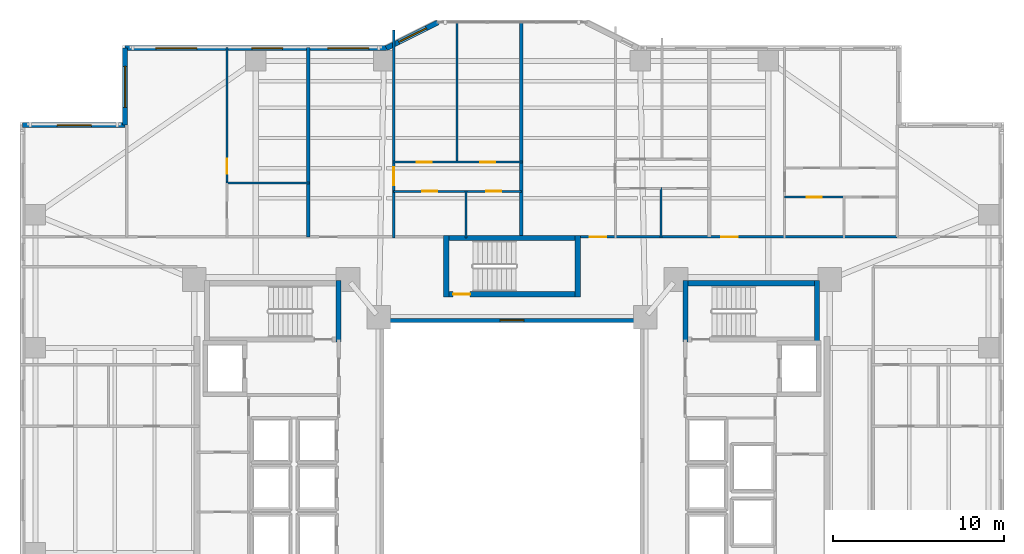
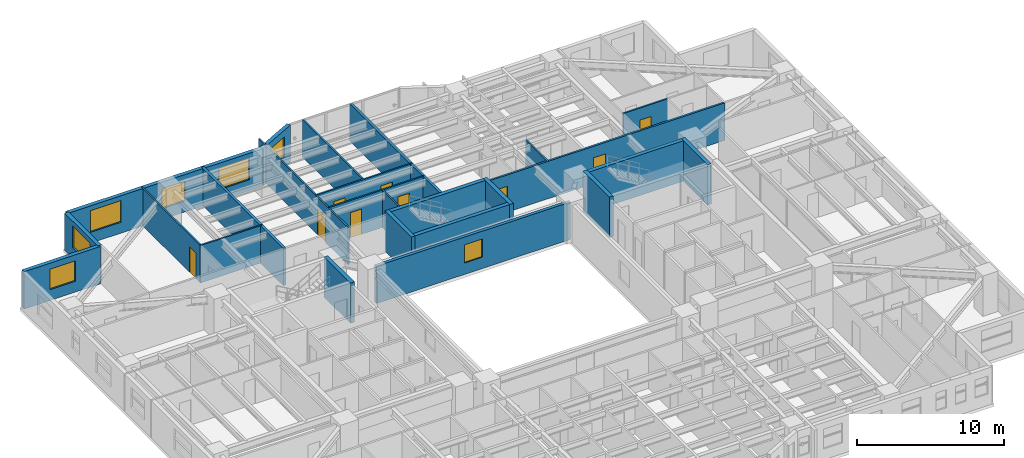
# One storey, part 15 of 22: 26 walls, 10 doors, 7 windows, 17 openings.
"""IFC4 building model written with IfcOpenShell, lengths in metres."""

from ifc_helpers import new_model, si_unit, direction, frame, frame_2d, origin, place, context, subcontext, project, spatial, rectangle, extrude, material, layer, layer_set, type_object, element, fill, save


model = new_model("IFC4")

# Units and contexts
model_context = context("Model", 3, precision=1e-05, world=origin(), true_north=direction((0.0, 1.0)))
body_context = subcontext(model_context, "Body", "Model", "MODEL_VIEW")
ifc_project = project(units=[si_unit("LENGTHUNIT", "METRE"), si_unit("AREAUNIT", "SQUARE_METRE"), si_unit("VOLUMEUNIT", "CUBIC_METRE"), si_unit("PLANEANGLEUNIT", "RADIAN"), si_unit("MASSUNIT", "GRAM", prefix="KILO")], contexts=[model_context])

# Site, building, storey
site_placement = place(None, origin())
site = spatial("IfcSite", under=ifc_project, at=site_placement, CompositionType="ELEMENT")
building_placement = place(site_placement, origin())
building = spatial("IfcBuilding", under=site, at=building_placement, Name="Tarnavaz Court Tower", CompositionType="ELEMENT")
storey_placement = place(building_placement, frame((0.0, 0.0, 27.35009765625)))
storey = spatial("IfcBuildingStorey", under=building, at=storey_placement, Name="L06", CompositionType="ELEMENT", Elevation=27.35009765625)

# Walls
ifc_material_1 = material(Name="Concrete C60/75", Category="concrete")
ifc_layer_1 = layer(ifc_material_1, 0.300048828125)
ifc_layer_set_1 = layer_set([ifc_layer_1], Name="Concrete C60/75")
wall_type_1 = type_object("IfcWallType", Name="WL-CORE-300-C60", PredefinedType="SHEAR", material=ifc_layer_set_1)
wall_1_placement = place(storey_placement, frame((-10.14990234375, 6.35009765625, 0.0), z_axis=(0.0, 0.0, 1.0), x_axis=(0.0, 1.0, 0.0)))
element("IfcWall", 1, at=wall_1_placement, inside=storey, type_object=wall_type_1, Name="L06 West Stair Core Wall 004", PredefinedType="SHEAR", context=body_context, shape_type="SweptSolid", body=[
    extrude(rectangle(XDim=3.58984375, YDim=0.300048828125, at=frame_2d((1.794921875, 0.0))), origin(), (0.0, 0.0, 1.0), 3.349853515625),
])
wall_2_placement = place(storey_placement, frame((10.0, 9.7900390625, 0.0), z_axis=(0.0, 0.0, 1.0), x_axis=(1.0, 0.0, 0.0)))
element("IfcWall", 2, at=wall_2_placement, inside=storey, type_object=wall_type_1, Name="L06 East Stair Core Wall 005", PredefinedType="SHEAR", context=body_context, shape_type="SweptSolid", body=[
    extrude(rectangle(XDim=8.0, YDim=0.300048828125, at=frame_2d((4.0, 0.0))), origin(), (0.0, 0.0, 1.0), 3.349853515625),
])
for number, where, z_axis, x_axis, name in (
    (3, (10.14990234375, 6.35009765625, 0.0), (0.0, 0.0, 1.0), (0.0, 1.0, 0.0), "L06 East Stair Core Wall 007"),
    (4, (17.85009765625, 6.35009765625, 0.0), (0.0, 0.0, 1.0), (0.0, 1.0, 0.0), "L06 East Stair Core Wall 008"),
):
    element("IfcWall", number, at=place(storey_placement, frame(where, z_axis=z_axis, x_axis=x_axis)), inside=storey, type_object=wall_type_1, Name=name, PredefinedType="SHEAR", context=body_context, shape_type="SweptSolid", body=[
        extrude(rectangle(XDim=3.58984375, YDim=0.300048828125, at=frame_2d((1.794921875, 0.0))), origin(), (0.0, 0.0, 1.0), 3.349853515625),
    ])
wall_3_placement = place(storey_placement, frame((-4.0, 12.43994140625, 0.0), z_axis=(0.0, 0.0, 1.0), x_axis=(1.0, 0.0, 0.0)))
element("IfcWall", 5, at=wall_3_placement, inside=storey, type_object=wall_type_1, Name="L06 North Stair Core Wall 009", PredefinedType="SHEAR", context=body_context, shape_type="SweptSolid", body=[
    extrude(rectangle(XDim=8.0, YDim=0.300048828125, at=frame_2d((4.0, 0.0))), origin(), (0.0, 0.0, 1.0), 3.349853515625),
])

# Wall, opening, door
wall_4_placement = place(storey_placement, frame((-4.0, 9.14990234375, 0.0), z_axis=(0.0, 0.0, 1.0), x_axis=(1.0, 0.0, 0.0)))
wall_4 = element("IfcWall", 6, at=wall_4_placement, inside=storey, type_object=wall_type_1, Name="L06 North Stair Core Wall 010", PredefinedType="SHEAR", context=body_context, shape_type="SweptSolid", body=[
    extrude(rectangle(XDim=8.0, YDim=0.300048828125, at=frame_2d((4.0, 0.0))), origin(), (0.0, 0.0, 1.0), 3.349853515625),
])
opening_1_placement = place(wall_4_placement, frame((0.550048828125, 0.0, 0.0)))
opening_1 = element("IfcOpeningElement", 7, at=opening_1_placement, cuts=wall_4, Name="Opening D01", PredefinedType="OPENING", context=body_context, shape_type="SweptSolid", body=[
    extrude(rectangle(XDim=1.0, YDim=2.14990234375, at=frame_2d((0.5, 1.074951171875))), frame((0.0, 0.159912109375, 0.0), z_axis=(0.0, -1.0, 0.0), x_axis=(1.0, 0.0, 0.0)), (0.0, 0.0, 1.0), 0.320068359375),
])
ifc_material_2 = material(Name="Fire-Rated Hardwood Timber Core", Category="wood")
door_type_1 = type_object("IfcDoorType", Name="DR-FD90-1000", OperationType="NOTDEFINED", PredefinedType="DOOR", material=ifc_material_2)
door_1_placement = place(opening_1_placement, origin())
door_1 = element("IfcDoor", 8, at=door_1_placement, inside=storey, type_object=door_type_1, Name="L06 Stair ST-N1 Exit Door", OperationType="SINGLE_SWING_LEFT", OverallHeight=2.14990234375, OverallWidth=1.0, PredefinedType="DOOR", context=body_context, shape_type="SweptSolid", body=[
    extrude(rectangle(XDim=1.0, YDim=2.14990234375, at=frame_2d((0.5, 1.074951171875))), frame((0.0, 0.02490234375, 0.0), z_axis=(0.0, -1.0, 0.0), x_axis=(1.0, 0.0, 0.0)), (0.0, 0.0, 1.0), 0.050048828125),
])
fill(opening_1, door_1)

# Walls
for number, where, z_axis, x_axis, name in (
    (9, (-3.85009765625, 9.0, 0.0), (0.0, 0.0, 1.0), (0.0, 1.0, 0.0), "L06 North Stair Core Wall 011"),
    (10, (3.85009765625, 9.0, 0.0), (0.0, 0.0, 1.0), (0.0, 1.0, 0.0), "L06 North Stair Core Wall 012"),
):
    element("IfcWall", number, at=place(storey_placement, frame(where, z_axis=z_axis, x_axis=x_axis)), inside=storey, type_object=wall_type_1, Name=name, PredefinedType="SHEAR", context=body_context, shape_type="SweptSolid", body=[
        extrude(rectangle(XDim=3.590087890625, YDim=0.300048828125, at=frame_2d((1.794921875, 0.0))), origin(), (0.0, 0.0, 1.0), 3.349853515625),
    ])

# Wall, opening, window
ifc_material_3 = material(Name="Precast Concrete C40/50", Category="concrete")
ifc_layer_2 = layer(ifc_material_3, 0.300048828125)
ifc_layer_set_2 = layer_set([ifc_layer_2], Name="Precast Concrete C40/50")
wall_type_2 = type_object("IfcWallType", Name="WL-EXT-300", PredefinedType="SOLIDWALL", material=ifc_layer_set_2)
wall_5_placement = place(storey_placement, frame((-28.64990234375, 19.050048828125, 0.0), z_axis=(0.0, 0.0, 1.0), x_axis=(1.0, 0.0, 0.0)))
wall_5 = element("IfcWall", 11, at=wall_5_placement, inside=storey, type_object=wall_type_2, Name="L06 Exterior Terracotta Facade Wall 03", PredefinedType="SOLIDWALL", context=body_context, shape_type="SweptSolid", body=[
    extrude(rectangle(XDim=6.0, YDim=0.300048828125, at=frame_2d((3.0, 0.0))), origin(), (0.0, 0.0, 1.0), 3.099853515625),
])
opening_2_placement = place(wall_5_placement, frame((2.02490234375, 0.0, 0.89990234375)))
opening_2 = element("IfcOpeningElement", 12, at=opening_2_placement, cuts=wall_5, Name="Opening W08", PredefinedType="OPENING", context=body_context, shape_type="SweptSolid", body=[
    extrude(rectangle(XDim=2.0, YDim=1.699951171875, at=frame_2d((1.0, 0.85009765625))), frame((0.0, 0.159912109375, 0.0), z_axis=(0.0, -1.0, 0.0), x_axis=(1.0, 0.0, 0.0)), (0.0, 0.0, 1.0), 0.320068359375),
])
ifc_material_4 = material(Name="Double-Glazed Solar Low-E Glass", Category="glass")
window_type_1 = type_object("IfcWindowType", Name="WN-APT-2000", PartitioningType="DOUBLE_PANEL_VERTICAL", PredefinedType="WINDOW", material=ifc_material_4)
window_1_placement = place(opening_2_placement, origin())
window_1 = element("IfcWindow", 13, at=window_1_placement, inside=storey, type_object=window_type_1, Name="L06 North-West Corner Sunroom Study Window", OverallHeight=1.699951171875, OverallWidth=2.0, PartitioningType="SINGLE_PANEL", PredefinedType="WINDOW", context=body_context, shape_type="SweptSolid", body=[
    extrude(rectangle(XDim=2.0, YDim=1.699951171875, at=frame_2d((1.0, 0.85009765625))), frame((0.0, 0.030029296875, 0.0), z_axis=(0.0, -1.0, 0.0), x_axis=(1.0, 0.0, 0.0)), (0.0, 0.0, 1.0), 0.06005859375),
])
fill(opening_2, window_1)

wall_6_placement = place(storey_placement, frame((-22.64990234375, 19.050048828125, 0.0), z_axis=(0.0, 0.0, 1.0), x_axis=(0.0, 1.0, 0.0)))
wall_6 = element("IfcWall", 14, at=wall_6_placement, inside=storey, type_object=wall_type_2, Name="L06 Exterior Terracotta Facade Wall 04", PredefinedType="SOLIDWALL", context=body_context, shape_type="SweptSolid", body=[
    extrude(rectangle(XDim=4.5, YDim=0.300048828125, at=frame_2d((2.25, 0.0))), origin(), (0.0, 0.0, 1.0), 3.099853515625),
])
opening_3_placement = place(wall_6_placement, frame((1.032470703125, 0.0, 0.89990234375)))
opening_3 = element("IfcOpeningElement", 15, at=opening_3_placement, cuts=wall_6, Name="Opening W06", PredefinedType="OPENING", context=body_context, shape_type="SweptSolid", body=[
    extrude(rectangle(XDim=2.39990234375, YDim=1.800048828125, at=frame_2d((1.199951171875, 0.89990234375))), frame((0.0, 0.159912109375, 0.0), z_axis=(0.0, -1.0, 0.0), x_axis=(1.0, 0.0, 0.0)), (0.0, 0.0, 1.0), 0.320068359375),
])
window_type_2 = type_object("IfcWindowType", Name="WN-APT-2400", PartitioningType="TRIPLE_PANEL_VERTICAL", PredefinedType="WINDOW", material=ifc_material_4)
window_2_placement = place(opening_3_placement, origin())
window_2 = element("IfcWindow", 16, at=window_2_placement, inside=storey, type_object=window_type_2, Name="L06 Flat 01 Studio Living and Sleeping Room Window", OverallHeight=1.800048828125, OverallWidth=2.39990234375, PartitioningType="SINGLE_PANEL", PredefinedType="WINDOW", context=body_context, shape_type="SweptSolid", body=[
    extrude(rectangle(XDim=2.39990234375, YDim=1.800048828125, at=frame_2d((1.199951171875, 0.89990234375))), frame((0.0, 0.030029296875, 0.0), z_axis=(0.0, -1.0, 0.0), x_axis=(1.0, 0.0, 0.0)), (0.0, 0.0, 1.0), 0.06005859375),
])
fill(opening_3, window_2)

# Wall, openings, windows
wall_7_placement = place(storey_placement, frame((-22.64990234375, 23.550048828125, 0.0), z_axis=(0.0, 0.0, 1.0), x_axis=(1.0, 0.0, 0.0)))
wall_7 = element("IfcWall", 17, at=wall_7_placement, inside=storey, type_object=wall_type_2, Name="L06 Exterior Terracotta Facade Wall 05", PredefinedType="SOLIDWALL", context=body_context, shape_type="SweptSolid", body=[
    extrude(rectangle(XDim=15.2998046875, YDim=0.300048828125, at=frame_2d((7.64990234375, 0.0))), origin(), (0.0, 0.0, 1.0), 3.099853515625),
])
opening_4_placement = place(wall_7_placement, frame((1.809814453125, 0.0, 0.89990234375)))
opening_4 = element("IfcOpeningElement", 18, at=opening_4_placement, cuts=wall_7, Name="Opening W06", PredefinedType="OPENING", context=body_context, shape_type="SweptSolid", body=[
    extrude(rectangle(XDim=2.39990234375, YDim=1.800048828125, at=frame_2d((1.199951171875, 0.89990234375))), frame((0.0, 0.159912109375, 0.0), z_axis=(0.0, -1.0, 0.0), x_axis=(1.0, 0.0, 0.0)), (0.0, 0.0, 1.0), 0.320068359375),
])
opening_5_placement = place(wall_7_placement, frame((7.42724609375, 0.0, 0.89990234375)))
opening_5 = element("IfcOpeningElement", 19, at=opening_5_placement, cuts=wall_7, Name="Opening W01", PredefinedType="OPENING", context=body_context, shape_type="SweptSolid", body=[
    extrude(rectangle(XDim=1.800048828125, YDim=1.64990234375, at=frame_2d((0.89990234375, 0.824951171875))), frame((0.0, 0.159912109375, 0.0), z_axis=(0.0, -1.0, 0.0), x_axis=(1.0, 0.0, 0.0)), (0.0, 0.0, 1.0), 0.320068359375),
])
opening_6_placement = place(wall_7_placement, frame((11.86767578125, 0.0, 0.89990234375)))
opening_6 = element("IfcOpeningElement", 20, at=opening_6_placement, cuts=wall_7, Name="Opening W06", PredefinedType="OPENING", context=body_context, shape_type="SweptSolid", body=[
    extrude(rectangle(XDim=2.39990234375, YDim=1.800048828125, at=frame_2d((1.199951171875, 0.89990234375))), frame((0.0, 0.159912109375, 0.0), z_axis=(0.0, -1.0, 0.0), x_axis=(1.0, 0.0, 0.0)), (0.0, 0.0, 1.0), 0.320068359375),
])
window_type_3 = type_object("IfcWindowType", Name="WN-APT-1800", PartitioningType="DOUBLE_PANEL_VERTICAL", PredefinedType="WINDOW", material=ifc_material_4)
window_3_placement = place(opening_5_placement, origin())
window_3 = element("IfcWindow", 21, at=window_3_placement, inside=storey, type_object=window_type_3, Name="L06 Flat 01 Kitchen Window", OverallHeight=1.64990234375, OverallWidth=1.800048828125, PartitioningType="SINGLE_PANEL", PredefinedType="WINDOW", context=body_context, shape_type="SweptSolid", body=[
    extrude(rectangle(XDim=1.800048828125, YDim=1.64990234375, at=frame_2d((0.89990234375, 0.824951171875))), frame((0.0, 0.030029296875, 0.0), z_axis=(0.0, -1.0, 0.0), x_axis=(1.0, 0.0, 0.0)), (0.0, 0.0, 1.0), 0.06005859375),
])
fill(opening_5, window_3)
window_4_placement = place(opening_4_placement, origin())
window_4 = element("IfcWindow", 22, at=window_4_placement, inside=storey, type_object=window_type_2, Name="L06 Flat 01 Studio Living and Sleeping Room Window", OverallHeight=1.800048828125, OverallWidth=2.39990234375, PartitioningType="SINGLE_PANEL", PredefinedType="WINDOW", context=body_context, shape_type="SweptSolid", body=[
    extrude(rectangle(XDim=2.39990234375, YDim=1.800048828125, at=frame_2d((1.199951171875, 0.89990234375))), frame((0.0, 0.030029296875, 0.0), z_axis=(0.0, -1.0, 0.0), x_axis=(1.0, 0.0, 0.0)), (0.0, 0.0, 1.0), 0.06005859375),
])
fill(opening_4, window_4)
window_5_placement = place(opening_6_placement, origin())
window_5 = element("IfcWindow", 23, at=window_5_placement, inside=storey, type_object=window_type_2, Name="L06 Flat 02 Living and Dining Room Window", OverallHeight=1.800048828125, OverallWidth=2.39990234375, PartitioningType="SINGLE_PANEL", PredefinedType="WINDOW", context=body_context, shape_type="SweptSolid", body=[
    extrude(rectangle(XDim=2.39990234375, YDim=1.800048828125, at=frame_2d((1.199951171875, 0.89990234375))), frame((0.0, 0.030029296875, 0.0), z_axis=(0.0, -1.0, 0.0), x_axis=(1.0, 0.0, 0.0)), (0.0, 0.0, 1.0), 0.06005859375),
])
fill(opening_6, window_5)

# Wall, opening, window
wall_8_placement = place(storey_placement, frame((-7.35009765625, 23.550048828125, 0.0), z_axis=(0.0, 0.0, 1.0), x_axis=(0.894427191, 0.4472135955, 0.0)))
wall_8 = element("IfcWall", 24, at=wall_8_placement, inside=storey, type_object=wall_type_2, Name="L06 Exterior Terracotta Facade Wall 06", PredefinedType="SOLIDWALL", context=body_context, shape_type="SweptSolid", body=[
    extrude(rectangle(XDim=3.35400390625, YDim=0.300048828125, at=frame_2d((1.677001953125, 0.0))), origin(), (0.0, 0.0, 1.0), 3.099853515625),
])
opening_7_placement = place(wall_8_placement, frame((0.80712890625, 0.0, 0.89990234375)))
opening_7 = element("IfcOpeningElement", 25, at=opening_7_placement, cuts=wall_8, Name="Opening W01", PredefinedType="OPENING", context=body_context, shape_type="SweptSolid", body=[
    extrude(rectangle(XDim=1.800048828125, YDim=1.64990234375, at=frame_2d((0.89990234375, 0.824951171875))), frame((0.0, 0.159912109375, 0.0), z_axis=(0.0, -1.0, 0.0), x_axis=(1.0, 0.0, 0.0)), (0.0, 0.0, 1.0), 0.320068359375),
])
window_6_placement = place(opening_7_placement, origin())
window_6 = element("IfcWindow", 26, at=window_6_placement, inside=storey, type_object=window_type_3, Name="L06 Flat 02 Principal Bedroom Window", OverallHeight=1.64990234375, OverallWidth=1.800048828125, PartitioningType="SINGLE_PANEL", PredefinedType="WINDOW", context=body_context, shape_type="SweptSolid", body=[
    extrude(rectangle(XDim=1.800048828125, YDim=1.64990234375, at=frame_2d((0.89990234375, 0.824951171875))), frame((0.0, 0.030029296875, 0.0), z_axis=(0.0, -1.0, 0.0), x_axis=(1.0, 0.0, 0.0)), (0.0, 0.0, 1.0), 0.06005859375),
])
fill(opening_7, window_6)

# Wall, openings, doors
ifc_material_5 = material(Name="Gypsum Fire-Board on Acoustic Metal Stud", Category="masonry")
ifc_layer_3 = layer(ifc_material_5, 0.14990234375)
ifc_layer_set_3 = layer_set([ifc_layer_3], Name="Gypsum Fire-Board on Acoustic Metal Stud")
wall_type_3 = type_object("IfcWallType", Name="WL-FIRE-150", PredefinedType="PARTITIONING", material=ifc_layer_set_3)
wall_9_placement = place(storey_placement, frame((3.85009765625, 12.5, 0.0), z_axis=(0.0, 0.0, 1.0), x_axis=(1.0, 0.0, 0.0)))
wall_9 = element("IfcWall", 27, at=wall_9_placement, inside=storey, type_object=wall_type_3, Name="L06 NE Wing Corridor Wall 083", PredefinedType="PARTITIONING", context=body_context, shape_type="SweptSolid", body=[
    extrude(rectangle(XDim=18.699951171875, YDim=0.14990234375, at=frame_2d((9.35009765625, 0.0))), origin(), (0.0, 0.0, 1.0), 3.099853515625),
])
opening_8_placement = place(wall_9_placement, frame((0.699951171875, 0.0, 0.0)))
opening_8 = element("IfcOpeningElement", 28, at=opening_8_placement, cuts=wall_9, Name="Opening D06", PredefinedType="OPENING", context=body_context, shape_type="SweptSolid", body=[
    extrude(rectangle(XDim=0.9599609375, YDim=2.14990234375, at=frame_2d((0.47998046875, 1.074951171875))), frame((0.0, 0.0849609375, 0.0), z_axis=(0.0, -1.0, 0.0), x_axis=(1.0, 0.0, 0.0)), (0.0, 0.0, 1.0), 0.169921875),
])
opening_9_placement = place(wall_9_placement, frame((8.39990234375, 0.0, 0.0)))
opening_9 = element("IfcOpeningElement", 29, at=opening_9_placement, cuts=wall_9, Name="Opening D06", PredefinedType="OPENING", context=body_context, shape_type="SweptSolid", body=[
    extrude(rectangle(XDim=0.9599609375, YDim=2.14990234375, at=frame_2d((0.47998046875, 1.074951171875))), frame((0.0, 0.0849609375, 0.0), z_axis=(0.0, -1.0, 0.0), x_axis=(1.0, 0.0, 0.0)), (0.0, 0.0, 1.0), 0.169921875),
])
door_type_2 = type_object("IfcDoorType", Name="DR-FD60-950", OperationType="NOTDEFINED", PredefinedType="DOOR", material=ifc_material_2)
door_2_placement = place(opening_8_placement, origin())
door_2 = element("IfcDoor", 30, at=door_2_placement, inside=storey, type_object=door_type_2, Name="L06 Flat 03 Entrance Door", OperationType="SINGLE_SWING_LEFT", OverallHeight=2.14990234375, OverallWidth=0.9599609375, PredefinedType="DOOR", context=body_context, shape_type="SweptSolid", body=[
    extrude(rectangle(XDim=0.9599609375, YDim=2.14990234375, at=frame_2d((0.47998046875, 1.074951171875))), frame((0.0, 0.02490234375, 0.0), z_axis=(0.0, -1.0, 0.0), x_axis=(1.0, 0.0, 0.0)), (0.0, 0.0, 1.0), 0.050048828125),
])
fill(opening_8, door_2)
door_3_placement = place(opening_9_placement, origin())
door_3 = element("IfcDoor", 31, at=door_3_placement, inside=storey, type_object=door_type_2, Name="L06 Flat 04 Entrance Door", OperationType="SINGLE_SWING_LEFT", OverallHeight=2.14990234375, OverallWidth=0.9599609375, PredefinedType="DOOR", context=body_context, shape_type="SweptSolid", body=[
    extrude(rectangle(XDim=0.9599609375, YDim=2.14990234375, at=frame_2d((0.47998046875, 1.074951171875))), frame((0.0, 0.02490234375, 0.0), z_axis=(0.0, -1.0, 0.0), x_axis=(1.0, 0.0, 0.0)), (0.0, 0.0, 1.0), 0.050048828125),
])
fill(opening_9, door_3)

# Walls
ifc_material_6 = material(Name="Autoclaved Aerated Concrete Blockwork", Category="masonry")
ifc_layer_4 = layer(ifc_material_6, 0.199951171875)
ifc_layer_set_4 = layer_set([ifc_layer_4], Name="Autoclaved Aerated Concrete Blockwork")
wall_type_4 = type_object("IfcWallType", Name="WL-FIRE-200", PredefinedType="SOLIDWALL", material=ifc_layer_set_4)
wall_10_placement = place(storey_placement, frame((0.550048828125, 12.5, 0.0), z_axis=(0.0, 0.0, 1.0), x_axis=(0.0, 1.0, 0.0)))
element("IfcWall", 32, at=wall_10_placement, inside=storey, type_object=wall_type_4, Name="L06 North Center Party Wall 088", PredefinedType="SOLIDWALL", context=body_context, shape_type="SweptSolid", body=[
    extrude(rectangle(XDim=12.580078125, YDim=0.199951171875, at=frame_2d((6.2900390625, 0.0))), origin(), (0.0, 0.0, 1.0), 3.099853515625),
])
wall_11_placement = place(storey_placement, frame((-11.924072265625, 12.5, 0.0), z_axis=(0.0, 0.0, 1.0), x_axis=(0.0, 1.0, 0.0)))
element("IfcWall", 33, at=wall_11_placement, inside=storey, type_object=wall_type_4, Name="L06 Party Wall 089", PredefinedType="SOLIDWALL", context=body_context, shape_type="SweptSolid", body=[
    extrude(rectangle(XDim=11.10009765625, YDim=0.199951171875, at=frame_2d((5.550048828125, 0.0))), origin(), (0.0, 0.0, 1.0), 3.099853515625),
])

# Wall, opening, door
ifc_material_7 = material(Name="Moisture-Resistant Gypsum Board Partition", Category="masonry")
ifc_layer_5 = layer(ifc_material_7, 0.1201171875)
ifc_layer_set_5 = layer_set([ifc_layer_5], Name="Moisture-Resistant Gypsum Board Partition")
wall_type_5 = type_object("IfcWallType", Name="WL-PART-120", PredefinedType="PARTITIONING", material=ifc_layer_set_5)
wall_12_placement = place(storey_placement, frame((-16.68408203125, 15.64990234375, 0.0), z_axis=(0.0, 0.0, 1.0), x_axis=(0.0, 1.0, 0.0)))
wall_12 = element("IfcWall", 34, at=wall_12_placement, inside=storey, type_object=wall_type_5, Name="L06 Interior Partition 091", PredefinedType="PARTITIONING", context=body_context, shape_type="SweptSolid", body=[
    extrude(rectangle(XDim=7.9501953125, YDim=0.1201171875, at=frame_2d((3.97509765625, 0.0))), origin(), (0.0, 0.0, 1.0), 3.099853515625),
])
opening_10_placement = place(wall_12_placement, frame((0.550048828125, 0.0, 0.0)))
opening_10 = element("IfcOpeningElement", 35, at=opening_10_placement, cuts=wall_12, Name="Opening D14", PredefinedType="OPENING", context=body_context, shape_type="SweptSolid", body=[
    extrude(rectangle(XDim=0.8798828125, YDim=2.10009765625, at=frame_2d((0.43994140625, 1.050048828125))), frame((0.0, 0.070068359375, 0.0), z_axis=(0.0, -1.0, 0.0), x_axis=(1.0, 0.0, 0.0)), (0.0, 0.0, 1.0), 0.14013671875),
])
ifc_material_8 = material(Name="Engineered Oak Timber", Category="wood")
door_type_3 = type_object("IfcDoorType", Name="DR-INT-900", OperationType="NOTDEFINED", PredefinedType="DOOR", material=ifc_material_8)
door_4_placement = place(opening_10_placement, origin())
door_4 = element("IfcDoor", 36, at=door_4_placement, inside=storey, type_object=door_type_3, Name="L06 Flat 01 Kitchen Door", OperationType="SINGLE_SWING_RIGHT", OverallHeight=2.10009765625, OverallWidth=0.8798828125, PredefinedType="DOOR", context=body_context, shape_type="SweptSolid", body=[
    extrude(rectangle(XDim=0.8798828125, YDim=2.10009765625, at=frame_2d((0.43994140625, 1.050048828125))), frame((0.0, 0.02490234375, 0.0), z_axis=(0.0, -1.0, 0.0), x_axis=(1.0, 0.0, 0.0)), (0.0, 0.0, 1.0), 0.050048828125),
])
fill(opening_10, door_4)

# Wall
wall_13_placement = place(storey_placement, frame((-16.743896484375, 15.64990234375, 0.0), z_axis=(0.0, 0.0, 1.0), x_axis=(1.0, 0.0, 0.0)))
element("IfcWall", 37, at=wall_13_placement, inside=storey, type_object=wall_type_5, Name="L06 Interior Partition 092", PredefinedType="PARTITIONING", context=body_context, shape_type="SweptSolid", body=[
    extrude(rectangle(XDim=4.8798828125, YDim=0.1201171875, at=frame_2d((2.43994140625, 0.0))), origin(), (0.0, 0.0, 1.0), 3.099853515625),
])

# Wall, opening, door
wall_14_placement = place(storey_placement, frame((-6.922119140625, 12.43994140625, 0.0), z_axis=(0.0, 0.0, 1.0), x_axis=(0.0, 1.0, 0.0)))
wall_14 = element("IfcWall", 38, at=wall_14_placement, inside=storey, type_object=wall_type_5, Name="L06 Interior Partition 093", PredefinedType="PARTITIONING", context=body_context, shape_type="SweptSolid", body=[
    extrude(rectangle(XDim=12.166015625, YDim=0.1201171875, at=frame_2d((6.0830078125, 0.0))), origin(), (0.0, 0.0, 1.0), 3.099853515625),
])
opening_11_placement = place(wall_14_placement, frame((3.074951171875, 0.0, 0.0)))
opening_11 = element("IfcOpeningElement", 39, at=opening_11_placement, cuts=wall_14, Name="Opening D12", PredefinedType="OPENING", context=body_context, shape_type="SweptSolid", body=[
    extrude(rectangle(XDim=1.080078125, YDim=2.14990234375, at=frame_2d((0.5400390625, 1.074951171875))), frame((0.0, 0.070068359375, 0.0), z_axis=(0.0, -1.0, 0.0), x_axis=(1.0, 0.0, 0.0)), (0.0, 0.0, 1.0), 0.14013671875),
])
door_type_4 = type_object("IfcDoorType", Name="DR-INT-1100", OperationType="NOTDEFINED", PredefinedType="DOOR", material=ifc_material_8)
door_5_placement = place(opening_11_placement, origin())
door_5 = element("IfcDoor", 40, at=door_5_placement, inside=storey, type_object=door_type_4, Name="L06 Flat 02 Foyer Door", OperationType="SINGLE_SWING_RIGHT", OverallHeight=2.14990234375, OverallWidth=1.080078125, PredefinedType="DOOR", context=body_context, shape_type="SweptSolid", body=[
    extrude(rectangle(XDim=1.080078125, YDim=2.14990234375, at=frame_2d((0.5400390625, 1.074951171875))), frame((0.0, 0.02490234375, 0.0), z_axis=(0.0, -1.0, 0.0), x_axis=(1.0, 0.0, 0.0)), (0.0, 0.0, 1.0), 0.050048828125),
])
fill(opening_11, door_5)

wall_15_placement = place(storey_placement, frame((-6.922119140625, 15.169921875, 0.0), z_axis=(0.0, 0.0, 1.0), x_axis=(1.0, 0.0, 0.0)))
wall_15 = element("IfcWall", 41, at=wall_15_placement, inside=storey, type_object=wall_type_5, Name="L06 Interior Partition 094", PredefinedType="PARTITIONING", context=body_context, shape_type="SweptSolid", body=[
    extrude(rectangle(XDim=4.22509765625, YDim=0.1201171875, at=frame_2d((2.112548828125, 0.0))), origin(), (0.0, 0.0, 1.0), 3.099853515625),
])
opening_12_placement = place(wall_15_placement, frame((1.672119140625, 0.0, 0.0)))
opening_12 = element("IfcOpeningElement", 42, at=opening_12_placement, cuts=wall_15, Name="Opening D14", PredefinedType="OPENING", context=body_context, shape_type="SweptSolid", body=[
    extrude(rectangle(XDim=0.8798828125, YDim=2.10009765625, at=frame_2d((0.43994140625, 1.050048828125))), frame((0.0, 0.070068359375, 0.0), z_axis=(0.0, -1.0, 0.0), x_axis=(1.0, 0.0, 0.0)), (0.0, 0.0, 1.0), 0.14013671875),
])
door_6_placement = place(opening_12_placement, origin())
door_6 = element("IfcDoor", 43, at=door_6_placement, inside=storey, type_object=door_type_3, Name="L06 Flat 02 Kitchen Door", OperationType="SINGLE_SWING_LEFT", OverallHeight=2.10009765625, OverallWidth=0.8798828125, PredefinedType="DOOR", context=body_context, shape_type="SweptSolid", body=[
    extrude(rectangle(XDim=0.8798828125, YDim=2.10009765625, at=frame_2d((0.43994140625, 1.050048828125))), frame((0.0, 0.02490234375, 0.0), z_axis=(0.0, -1.0, 0.0), x_axis=(1.0, 0.0, 0.0)), (0.0, 0.0, 1.0), 0.050048828125),
])
fill(opening_12, door_6)

wall_16_placement = place(storey_placement, frame((-2.697021484375, 15.169921875, 0.0), z_axis=(0.0, 0.0, 1.0), x_axis=(1.0, 0.0, 0.0)))
wall_16 = element("IfcWall", 44, at=wall_16_placement, inside=storey, type_object=wall_type_5, Name="L06 Interior Partition 095", PredefinedType="PARTITIONING", context=body_context, shape_type="SweptSolid", body=[
    extrude(rectangle(XDim=3.2470703125, YDim=0.1201171875, at=frame_2d((1.62353515625, 0.0))), origin(), (0.0, 0.0, 1.0), 3.099853515625),
])
opening_13_placement = place(wall_16_placement, frame((1.18310546875, 0.0, 0.0)))
opening_13 = element("IfcOpeningElement", 45, at=opening_13_placement, cuts=wall_16, Name="Opening D14", PredefinedType="OPENING", context=body_context, shape_type="SweptSolid", body=[
    extrude(rectangle(XDim=0.8798828125, YDim=2.10009765625, at=frame_2d((0.43994140625, 1.050048828125))), frame((0.0, 0.070068359375, 0.0), z_axis=(0.0, -1.0, 0.0), x_axis=(1.0, 0.0, 0.0)), (0.0, 0.0, 1.0), 0.14013671875),
])
door_7_placement = place(opening_13_placement, origin())
door_7 = element("IfcDoor", 46, at=door_7_placement, inside=storey, type_object=door_type_3, Name="L06 Flat 02 Bathroom Door", OperationType="SINGLE_SWING_RIGHT", OverallHeight=2.10009765625, OverallWidth=0.8798828125, PredefinedType="DOOR", context=body_context, shape_type="SweptSolid", body=[
    extrude(rectangle(XDim=0.8798828125, YDim=2.10009765625, at=frame_2d((0.43994140625, 1.050048828125))), frame((0.0, 0.02490234375, 0.0), z_axis=(0.0, -1.0, 0.0), x_axis=(1.0, 0.0, 0.0)), (0.0, 0.0, 1.0), 0.050048828125),
])
fill(opening_13, door_7)

# Wall, openings, doors
wall_17_placement = place(storey_placement, frame((-6.98193359375, 16.8798828125, 0.0), z_axis=(0.0, 0.0, 1.0), x_axis=(1.0, 0.0, 0.0)))
wall_17 = element("IfcWall", 47, at=wall_17_placement, inside=storey, type_object=wall_type_5, Name="L06 Interior Partition 096", PredefinedType="PARTITIONING", context=body_context, shape_type="SweptSolid", body=[
    extrude(rectangle(XDim=7.592041015625, YDim=0.1201171875, at=frame_2d((3.7958984375, 0.0))), origin(), (0.0, 0.0, 1.0), 3.099853515625),
])
opening_14_placement = place(wall_17_placement, frame((1.4130859375, 0.0, 0.0)))
opening_14 = element("IfcOpeningElement", 48, at=opening_14_placement, cuts=wall_17, Name="Opening D14", PredefinedType="OPENING", context=body_context, shape_type="SweptSolid", body=[
    extrude(rectangle(XDim=0.8798828125, YDim=2.10009765625, at=frame_2d((0.43994140625, 1.050048828125))), frame((0.0, 0.070068359375, 0.0), z_axis=(0.0, -1.0, 0.0), x_axis=(1.0, 0.0, 0.0)), (0.0, 0.0, 1.0), 0.14013671875),
])
opening_15_placement = place(wall_17_placement, frame((5.118896484375, 0.0, 0.0)))
opening_15 = element("IfcOpeningElement", 49, at=opening_15_placement, cuts=wall_17, Name="Opening D14", PredefinedType="OPENING", context=body_context, shape_type="SweptSolid", body=[
    extrude(rectangle(XDim=0.8798828125, YDim=2.10009765625, at=frame_2d((0.43994140625, 1.050048828125))), frame((0.0, 0.070068359375, 0.0), z_axis=(0.0, -1.0, 0.0), x_axis=(1.0, 0.0, 0.0)), (0.0, 0.0, 1.0), 0.14013671875),
])
door_8_placement = place(opening_14_placement, origin())
door_8 = element("IfcDoor", 50, at=door_8_placement, inside=storey, type_object=door_type_3, Name="L06 Flat 02 Bedroom 1 Door", OperationType="SINGLE_SWING_LEFT", OverallHeight=2.10009765625, OverallWidth=0.8798828125, PredefinedType="DOOR", context=body_context, shape_type="SweptSolid", body=[
    extrude(rectangle(XDim=0.8798828125, YDim=2.10009765625, at=frame_2d((0.43994140625, 1.050048828125))), frame((0.0, 0.02490234375, 0.0), z_axis=(0.0, -1.0, 0.0), x_axis=(1.0, 0.0, 0.0)), (0.0, 0.0, 1.0), 0.050048828125),
])
fill(opening_14, door_8)
door_9_placement = place(opening_15_placement, origin())
door_9 = element("IfcDoor", 51, at=door_9_placement, inside=storey, type_object=door_type_3, Name="L06 Flat 02 Bedroom 2 Door", OperationType="SINGLE_SWING_RIGHT", OverallHeight=2.10009765625, OverallWidth=0.8798828125, PredefinedType="DOOR", context=body_context, shape_type="SweptSolid", body=[
    extrude(rectangle(XDim=0.8798828125, YDim=2.10009765625, at=frame_2d((0.43994140625, 1.050048828125))), frame((0.0, 0.02490234375, 0.0), z_axis=(0.0, -1.0, 0.0), x_axis=(1.0, 0.0, 0.0)), (0.0, 0.0, 1.0), 0.050048828125),
])
fill(opening_15, door_9)

# Walls
wall_18_placement = place(storey_placement, frame((-2.697021484375, 12.43994140625, 0.0), z_axis=(0.0, 0.0, 1.0), x_axis=(0.0, 1.0, 0.0)))
element("IfcWall", 52, at=wall_18_placement, inside=storey, type_object=wall_type_5, Name="L06 Interior Partition 097", PredefinedType="PARTITIONING", context=body_context, shape_type="SweptSolid", body=[
    extrude(rectangle(XDim=2.7900390625, YDim=0.1201171875, at=frame_2d((1.39501953125, 0.0))), origin(), (0.0, 0.0, 1.0), 3.099853515625),
])
wall_19_placement = place(storey_placement, frame((-3.216064453125, 16.820068359375, 0.0), z_axis=(0.0, 0.0, 1.0), x_axis=(0.0, 1.0, 0.0)))
element("IfcWall", 53, at=wall_19_placement, inside=storey, type_object=wall_type_5, Name="L06 Interior Partition 098", PredefinedType="PARTITIONING", context=body_context, shape_type="SweptSolid", body=[
    extrude(rectangle(XDim=8.260009765625, YDim=0.1201171875, at=frame_2d((4.1298828125, 0.0))), origin(), (0.0, 0.0, 1.0), 3.099853515625),
])
wall_20_placement = place(storey_placement, frame((8.716064453125, 12.43994140625, 0.0), z_axis=(0.0, 0.0, 1.0), x_axis=(0.0, 1.0, 0.0)))
element("IfcWall", 54, at=wall_20_placement, inside=storey, type_object=wall_type_5, Name="L06 Interior Partition 104", PredefinedType="PARTITIONING", context=body_context, shape_type="SweptSolid", body=[
    extrude(rectangle(XDim=2.9599609375, YDim=0.1201171875, at=frame_2d((1.47998046875, 0.0))), origin(), (0.0, 0.0, 1.0), 3.099853515625),
])

# Wall, opening, door
wall_21_placement = place(storey_placement, frame((15.9619140625, 14.830078125, 0.0), z_axis=(0.0, 0.0, 1.0), x_axis=(1.0, 0.0, 0.0)))
wall_21 = element("IfcWall", 55, at=wall_21_placement, inside=storey, type_object=wall_type_5, Name="L06 Interior Partition 107", PredefinedType="PARTITIONING", context=body_context, shape_type="SweptSolid", body=[
    extrude(rectangle(XDim=3.460205078125, YDim=0.1201171875, at=frame_2d((1.72998046875, 0.0))), origin(), (0.0, 0.0, 1.0), 3.099853515625),
])
opening_16_placement = place(wall_21_placement, frame((1.2900390625, 0.0, 0.0)))
opening_16 = element("IfcOpeningElement", 56, at=opening_16_placement, cuts=wall_21, Name="Opening D14", PredefinedType="OPENING", context=body_context, shape_type="SweptSolid", body=[
    extrude(rectangle(XDim=0.8798828125, YDim=2.10009765625, at=frame_2d((0.43994140625, 1.050048828125))), frame((0.0, 0.070068359375, 0.0), z_axis=(0.0, -1.0, 0.0), x_axis=(1.0, 0.0, 0.0)), (0.0, 0.0, 1.0), 0.14013671875),
])
door_10_placement = place(opening_16_placement, origin())
door_10 = element("IfcDoor", 57, at=door_10_placement, inside=storey, type_object=door_type_3, Name="L06 Flat 04 Kitchen Door", OperationType="SINGLE_SWING_LEFT", OverallHeight=2.10009765625, OverallWidth=0.8798828125, PredefinedType="DOOR", context=body_context, shape_type="SweptSolid", body=[
    extrude(rectangle(XDim=0.8798828125, YDim=2.10009765625, at=frame_2d((0.43994140625, 1.050048828125))), frame((0.0, 0.02490234375, 0.0), z_axis=(0.0, -1.0, 0.0), x_axis=(1.0, 0.0, 0.0)), (0.0, 0.0, 1.0), 0.050048828125),
])
fill(opening_16, door_10)

# Wall, opening, window
ifc_layer_6 = layer(ifc_material_3, 0.239990234375)
ifc_layer_set_6 = layer_set([ifc_layer_6], Name="Precast Concrete C40/50")
wall_type_6 = type_object("IfcWallType", Name="WL-WELL-240", PredefinedType="SOLIDWALL", material=ifc_layer_set_6)
wall_22_placement = place(storey_placement, frame((7.6201171875, 7.6201171875, 0.0), z_axis=(0.0, 0.0, 1.0), x_axis=(-1.0, 0.0, 0.0)))
wall_22 = element("IfcWall", 58, at=wall_22_placement, inside=storey, type_object=wall_type_6, Name="L06 Badgir Light-Well Exterior Wall N", PredefinedType="SOLIDWALL", context=body_context, shape_type="SweptSolid", body=[
    extrude(rectangle(XDim=15.240234375, YDim=0.239990234375, at=frame_2d((7.6201171875, 0.0))), origin(), (0.0, 0.0, 1.0), 3.099853515625),
])
opening_17_placement = place(wall_22_placement, frame((6.919921875, 0.0, 0.949951171875)))
opening_17 = element("IfcOpeningElement", 59, at=opening_17_placement, cuts=wall_22, Name="Opening W13", PredefinedType="OPENING", context=body_context, shape_type="SweptSolid", body=[
    extrude(rectangle(XDim=1.39990234375, YDim=1.5, at=frame_2d((0.699951171875, 0.75))), frame((0.0, 0.1298828125, 0.0), z_axis=(0.0, -1.0, 0.0), x_axis=(1.0, 0.0, 0.0)), (0.0, 0.0, 1.0), 0.260009765625),
])
window_type_4 = type_object("IfcWindowType", Name="WN-WEL-1400", PartitioningType="SINGLE_PANEL", PredefinedType="WINDOW", material=ifc_material_4)
window_7_placement = place(opening_17_placement, origin())
window_7 = element("IfcWindow", 60, at=window_7_placement, inside=storey, type_object=window_type_4, Name="L06 Courtyard Gallery Window N", OverallHeight=1.5, OverallWidth=1.39990234375, PartitioningType="SINGLE_PANEL", PredefinedType="WINDOW", context=body_context, shape_type="SweptSolid", body=[
    extrude(rectangle(XDim=1.39990234375, YDim=1.5, at=frame_2d((0.699951171875, 0.75))), frame((0.0, 0.030029296875, 0.0), z_axis=(0.0, -1.0, 0.0), x_axis=(1.0, 0.0, 0.0)), (0.0, 0.0, 1.0), 0.06005859375),
])
fill(opening_17, window_7)

save(model, "model.ifc")
